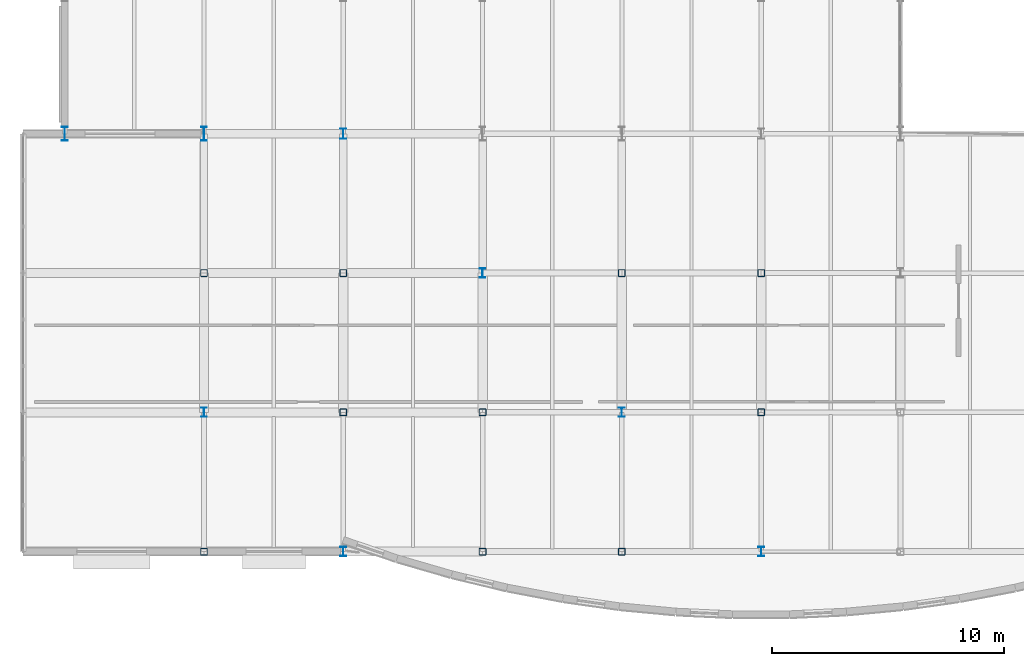
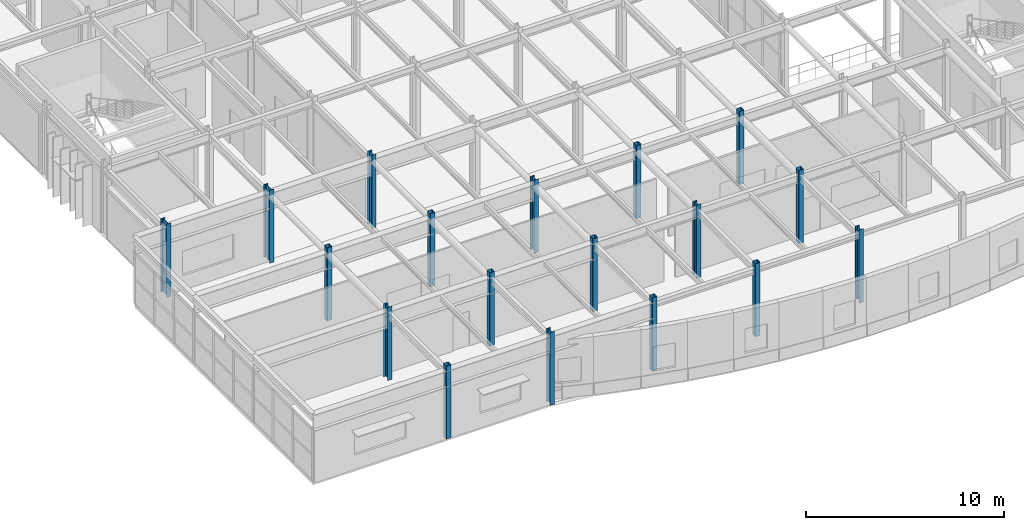
# One storey, part 1 of 96: 18 columns.
"""IFC4 building model written with IfcOpenShell, lengths in metres."""

from ifc_helpers import new_model, si_unit, direction, frame, origin, origin_2d, place, context, subcontext, project, spatial, hollow_rectangle, i_section, extrude, material, material_profile, profile_set, type_object, element, save


model = new_model("IFC4")

# Units and contexts
model_context = context("Model", 3, precision=1e-05, world=origin(), true_north=direction((0.0, 1.0)))
body_context = subcontext(model_context, "Body", "Model", "MODEL_VIEW")
ifc_project = project(units=[si_unit("LENGTHUNIT", "METRE"), si_unit("AREAUNIT", "SQUARE_METRE"), si_unit("VOLUMEUNIT", "CUBIC_METRE"), si_unit("PLANEANGLEUNIT", "RADIAN"), si_unit("MASSUNIT", "GRAM", prefix="KILO")], contexts=[model_context])

# Site, building, storey
site_placement = place(None, origin())
site = spatial("IfcSite", under=ifc_project, at=site_placement, CompositionType="ELEMENT")
building_placement = place(site_placement, origin())
building = spatial("IfcBuilding", under=site, at=building_placement, Name="Varnakota Square Police Headquarters", CompositionType="ELEMENT")
storey_placement = place(building_placement, frame((0.0, 0.0, 4.800048828125)))
storey = spatial("IfcBuildingStorey", under=building, at=storey_placement, Name="L01", CompositionType="ELEMENT", Elevation=4.800048828125)

# Columns
ifc_material = material(Name="Steel IS 2062 Grade 350", Category="steel")
ifc_material_profile_1 = material_profile(ifc_material, i_section(OverallWidth=0.25, OverallDepth=0.39990234375, WebThickness=0.010498046875, FlangeThickness=0.0126953125, FilletRadius=0.013916015625, at=origin_2d()), Name="ISHB 400")
ifc_profile_set_1 = profile_set([ifc_material_profile_1], Name="Steel IS 2062 Grade 350")
column_type_1 = type_object("IfcColumnType", Name="COL-ISHB400", PredefinedType="COLUMN", material=ifc_profile_set_1)
for number, where, z_axis, x_axis, name in (
    (1, (12.0, 9.0, 0.0), (0.0, 0.0, 1.0), (1.0, 0.0, 0.0), "Column X0120-Y0090 L01"),
    (2, (18.0, 3.0, 0.0), (0.0, 0.0, 1.0), (1.0, 0.0, 0.0), "Column X0180-Y0030 L01"),
    (3, (24.0, 15.0, 0.0), (0.0, 0.0, 1.0), (1.0, 0.0, 0.0), "Column X0240-Y0150 L01"),
    (4, (30.0, 9.0, 0.0), (0.0, 0.0, 1.0), (1.0, 0.0, 0.0), "Column X0300-Y0090 L01"),
    (5, (36.0, 3.0, 0.0), (0.0, 0.0, 1.0), (1.0, 0.0, 0.0), "Column X0360-Y0030 L01"),
):
    element("IfcColumn", number, at=place(storey_placement, frame(where, z_axis=z_axis, x_axis=x_axis)), inside=storey, type_object=column_type_1, Name=name, PredefinedType="COLUMN", context=body_context, shape_type="SweptSolid", body=[
        extrude(i_section(OverallWidth=0.25, OverallDepth=0.39990234375, WebThickness=0.010498046875, FlangeThickness=0.0126953125, FilletRadius=0.013916015625, at=origin_2d()), origin(), (0.0, 0.0, 1.0), 4.5),
    ])
ifc_material_profile_2 = material_profile(ifc_material, i_section(OverallWidth=0.25, OverallDepth=0.449951171875, WebThickness=0.01123046875, FlangeThickness=0.013671875, FilletRadius=0.014892578125, at=origin_2d()), Name="ISHB 450")
ifc_profile_set_2 = profile_set([ifc_material_profile_2], Name="Steel IS 2062 Grade 350")
column_type_2 = type_object("IfcColumnType", Name="COL-ISHB450", PredefinedType="COLUMN", material=ifc_profile_set_2)
column_placement = place(storey_placement, frame((18.0, 21.0, 0.0), z_axis=(0.0, 0.0, 1.0), x_axis=(1.0, 0.0, 0.0)))
element("IfcColumn", 6, at=column_placement, inside=storey, type_object=column_type_2, Name="Column X0180-Y0210 L01", PredefinedType="COLUMN", context=body_context, shape_type="SweptSolid", body=[
    extrude(i_section(OverallWidth=0.25, OverallDepth=0.449951171875, WebThickness=0.01123046875, FlangeThickness=0.013671875, FilletRadius=0.014892578125, at=origin_2d()), origin(), (0.0, 0.0, 1.0), 4.5),
])
ifc_material_profile_3 = material_profile(ifc_material, i_section(OverallWidth=0.25, OverallDepth=0.60009765625, WebThickness=0.01171875, FlangeThickness=0.023681640625, FilletRadius=0.01708984375, at=origin_2d()), Name="ISWB 600")
ifc_profile_set_3 = profile_set([ifc_material_profile_3], Name="Steel IS 2062 Grade 350")
column_type_3 = type_object("IfcColumnType", Name="COL-ISWB600", PredefinedType="COLUMN", material=ifc_profile_set_3)
for number, where, z_axis, x_axis, name in (
    (7, (6.0, 21.0, 0.0), (0.0, 0.0, 1.0), (1.0, 0.0, 0.0), "Column X0060-Y0210 L01"),
    (8, (12.0, 21.0, 0.0), (0.0, 0.0, 1.0), (1.0, 0.0, 0.0), "Column X0120-Y0210 L01"),
):
    element("IfcColumn", number, at=place(storey_placement, frame(where, z_axis=z_axis, x_axis=x_axis)), inside=storey, type_object=column_type_3, Name=name, PredefinedType="COLUMN", context=body_context, shape_type="SweptSolid", body=[
        extrude(i_section(OverallWidth=0.25, OverallDepth=0.60009765625, WebThickness=0.01171875, FlangeThickness=0.023681640625, FilletRadius=0.01708984375, at=origin_2d()), origin(), (0.0, 0.0, 1.0), 4.5),
    ])
ifc_material_profile_4 = material_profile(ifc_material, hollow_rectangle(XDim=0.300048828125, YDim=0.300048828125, WallThickness=0.01611328125, InnerFilletRadius=0.01611328125, OuterFilletRadius=0.031982421875, at=origin_2d()), Name="SHS 300x300x16")
ifc_profile_set_4 = profile_set([ifc_material_profile_4], Name="Steel IS 2062 Grade 350")
column_type_4 = type_object("IfcColumnType", Name="COL-SHS300", PredefinedType="COLUMN", material=ifc_profile_set_4)
for number, where, z_axis, x_axis, name in (
    (9, (12.0, 3.0, 0.0), (0.0, 0.0, 1.0), (1.0, 0.0, 0.0), "Column X0120-Y0030 L01"),
    (10, (12.0, 15.0, 0.0), (0.0, 0.0, 1.0), (1.0, 0.0, 0.0), "Column X0120-Y0150 L01"),
    (11, (18.0, 9.0, 0.0), (0.0, 0.0, 1.0), (1.0, 0.0, 0.0), "Column X0180-Y0090 L01"),
    (12, (18.0, 15.0, 0.0), (0.0, 0.0, 1.0), (1.0, 0.0, 0.0), "Column X0180-Y0150 L01"),
    (13, (24.0, 3.0, 0.0), (0.0, 0.0, 1.0), (1.0, 0.0, 0.0), "Column X0240-Y0030 L01"),
    (14, (24.0, 9.0, 0.0), (0.0, 0.0, 1.0), (1.0, 0.0, 0.0), "Column X0240-Y0090 L01"),
    (15, (30.0, 3.0, 0.0), (0.0, 0.0, 1.0), (1.0, 0.0, 0.0), "Column X0300-Y0030 L01"),
    (16, (30.0, 15.0, 0.0), (0.0, 0.0, 1.0), (1.0, 0.0, 0.0), "Column X0300-Y0150 L01"),
    (17, (36.0, 9.0, 0.0), (0.0, 0.0, 1.0), (1.0, 0.0, 0.0), "Column X0360-Y0090 L01"),
    (18, (36.0, 15.0, 0.0), (0.0, 0.0, 1.0), (1.0, 0.0, 0.0), "Column X0360-Y0150 L01"),
):
    element("IfcColumn", number, at=place(storey_placement, frame(where, z_axis=z_axis, x_axis=x_axis)), inside=storey, type_object=column_type_4, Name=name, PredefinedType="COLUMN", context=body_context, shape_type="SweptSolid", body=[
        extrude(hollow_rectangle(XDim=0.300048828125, YDim=0.300048828125, WallThickness=0.01611328125, InnerFilletRadius=0.01611328125, OuterFilletRadius=0.031982421875, at=origin_2d()), origin(), (0.0, 0.0, 1.0), 4.5),
    ])

save(model, "model.ifc")
